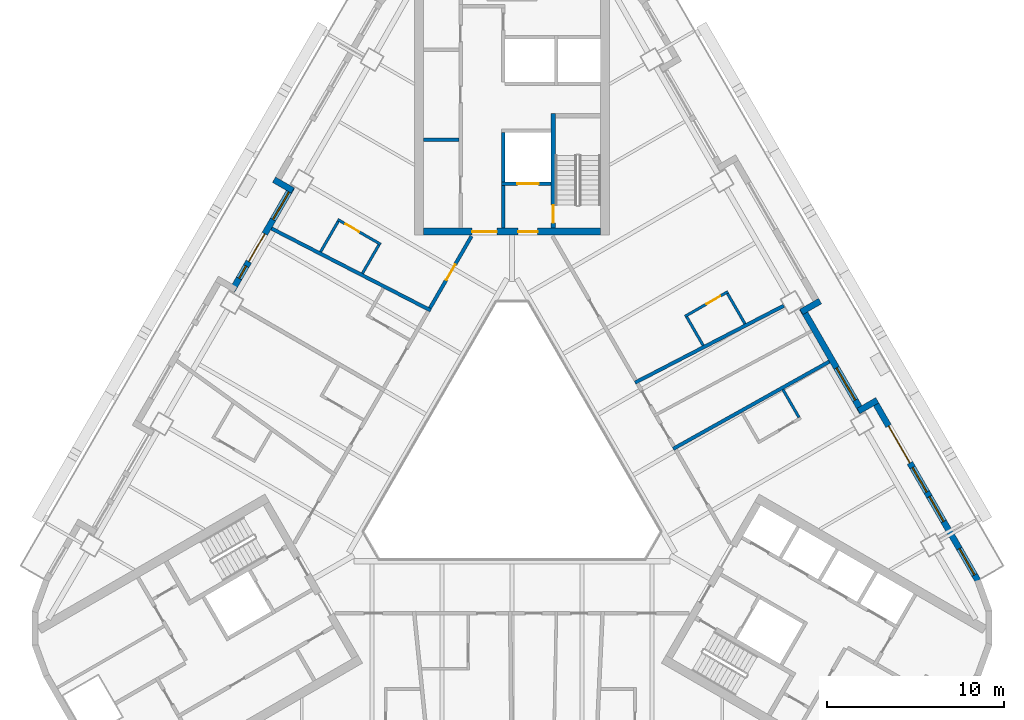
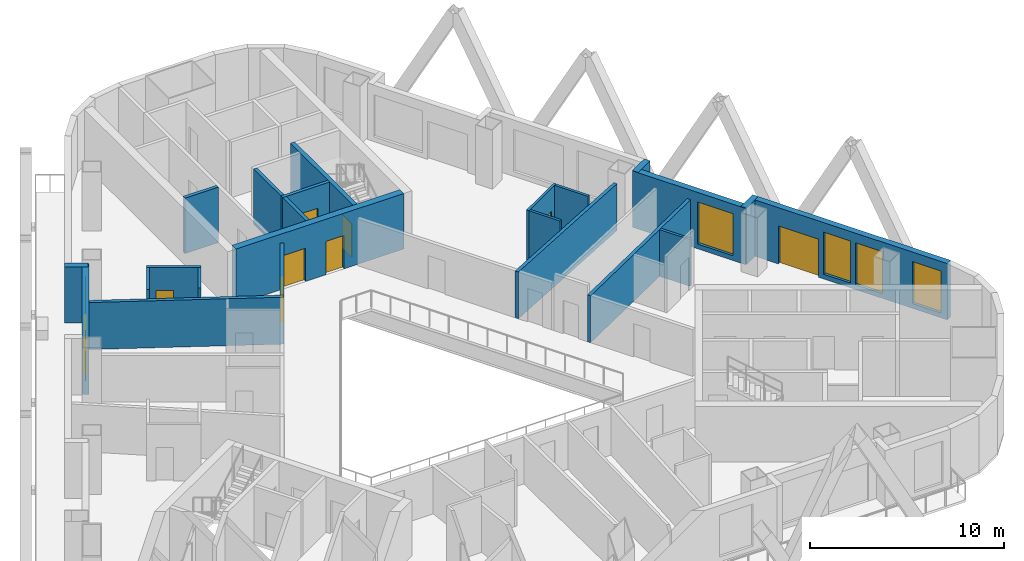
# One storey, part 6 of 14: 23 walls, 9 doors, 6 windows, 15 openings.
"""IFC4 building model written with IfcOpenShell, lengths in metres."""

from ifc_helpers import new_model, si_unit, direction, frame, frame_2d, origin, place, context, subcontext, project, spatial, rectangle, extrude, material, layer, layer_set, type_object, element, fill, save


model = new_model("IFC4")

# Units and contexts
model_context = context("Model", 3, precision=1e-05, world=origin(), true_north=direction((0.0, 1.0)))
body_context = subcontext(model_context, "Body", "Model", "MODEL_VIEW")
ifc_project = project(units=[si_unit("LENGTHUNIT", "METRE"), si_unit("AREAUNIT", "SQUARE_METRE"), si_unit("VOLUMEUNIT", "CUBIC_METRE"), si_unit("PLANEANGLEUNIT", "RADIAN"), si_unit("MASSUNIT", "GRAM", prefix="KILO")], contexts=[model_context])

# Site, building, storey
site_placement = place(None, origin())
site = spatial("IfcSite", under=ifc_project, at=site_placement, CompositionType="ELEMENT")
building_placement = place(site_placement, origin())
building = spatial("IfcBuilding", under=site, at=building_placement, Name="Apuvela Tower Hotel", CompositionType="ELEMENT")
storey_placement = place(building_placement, frame((0.0, 0.0, 76.10009765625)))
storey = spatial("IfcBuildingStorey", under=building, at=storey_placement, Name="L16", CompositionType="ELEMENT", Elevation=76.10009765625)

# Wall, openings, doors
ifc_material_1 = material(Name="Concrete C50/60", Category="concrete")
ifc_layer_1 = layer(ifc_material_1, 0.39990234375)
ifc_layer_set_1 = layer_set([ifc_layer_1], Name="COR-WALL-CORE-400")
wall_type_1 = type_object("IfcWallType", Name="COR-WALL-CORE-400", PredefinedType="SHEAR", material=ifc_layer_set_1)
wall_1_placement = place(storey_placement, frame((5.0, 13.10009765625, 0.0), z_axis=(0.0, 0.0, 1.0), x_axis=(-1.0, 0.0, 0.0)))
wall_1 = element("IfcWall", 1, at=wall_1_placement, inside=storey, type_object=wall_type_1, Name="Core wall N", PredefinedType="SHEAR", context=body_context, shape_type="SweptSolid", body=[
    extrude(rectangle(XDim=10.0, YDim=0.39990234375, at=frame_2d((5.0, 0.0))), origin(), (0.0, 0.0, 1.0), 3.5),
])
opening_1_placement = place(wall_1_placement, frame((3.550048828125, 0.0, 0.0)))
opening_1 = element("IfcOpeningElement", 2, at=opening_1_placement, cuts=wall_1, Name="Opening N-FD", PredefinedType="OPENING", context=body_context, shape_type="SweptSolid", body=[
    extrude(rectangle(XDim=1.10009765625, YDim=2.10009765625, at=frame_2d((0.550048828125, 1.050048828125))), frame((0.0, 0.2099609375, 0.0), z_axis=(0.0, -1.0, 0.0), x_axis=(1.0, 0.0, 0.0)), (0.0, 0.0, 1.0), 0.419921875),
])
opening_2_placement = place(wall_1_placement, frame((5.85009765625, 0.0, 0.0)))
opening_2 = element("IfcOpeningElement", 3, at=opening_2_placement, cuts=wall_1, Name="Opening N-GD", PredefinedType="OPENING", context=body_context, shape_type="SweptSolid", body=[
    extrude(rectangle(XDim=1.39990234375, YDim=2.10009765625, at=frame_2d((0.699951171875, 1.050048828125))), frame((0.0, 0.2099609375, 0.0), z_axis=(0.0, -1.0, 0.0), x_axis=(1.0, 0.0, 0.0)), (0.0, 0.0, 1.0), 0.419921875),
])
ifc_material_2 = material(Name="Steel fire door, powder coated", Category="steel")
door_type_1 = type_object("IfcDoorType", Name="COR-FD-1100", OperationType="NOTDEFINED", PredefinedType="DOOR", material=ifc_material_2)
door_1_placement = place(opening_1_placement, frame((1.10009765625, 0.0, 0.0), z_axis=(0.0, 0.0, 1.0), x_axis=(-1.0, 0.0, 0.0)))
door_1 = element("IfcDoor", 4, at=door_1_placement, inside=storey, type_object=door_type_1, Name="Firefighting lobby door N-FD", OperationType="SINGLE_SWING_LEFT", OverallHeight=2.10009765625, OverallWidth=1.10009765625, PredefinedType="DOOR", context=body_context, shape_type="SweptSolid", body=[
    extrude(rectangle(XDim=1.10009765625, YDim=2.10009765625, at=frame_2d((0.550048828125, 1.050048828125))), frame((0.0, 0.02490234375, 0.0), z_axis=(0.0, -1.0, 0.0), x_axis=(1.0, 0.0, 0.0)), (0.0, 0.0, 1.0), 0.050048828125),
])
fill(opening_1, door_1)
ifc_material_3 = material(Name="Glazed steel fire door", Category="steel")
door_type_2 = type_object("IfcDoorType", Name="COR-GD-1400", OperationType="DOUBLE_DOOR_SINGLE_SWING", PredefinedType="DOOR", material=ifc_material_3)
door_2_placement = place(opening_2_placement, frame((1.39990234375, 0.0, 0.0), z_axis=(0.0, 0.0, 1.0), x_axis=(-1.0, 0.0, 0.0)))
door_2 = element("IfcDoor", 5, at=door_2_placement, inside=storey, type_object=door_type_2, Name="Lift lobby door N-GD", OperationType="DOUBLE_DOOR_SINGLE_SWING", OverallHeight=2.10009765625, OverallWidth=1.39990234375, PredefinedType="DOOR", context=body_context, shape_type="SweptSolid", body=[
    extrude(rectangle(XDim=1.39990234375, YDim=2.10009765625, at=frame_2d((0.699951171875, 1.050048828125))), frame((0.0, 0.02490234375, 0.0), z_axis=(0.0, -1.0, 0.0), x_axis=(1.0, 0.0, 0.0)), (0.0, 0.0, 1.0), 0.050048828125),
])
fill(opening_2, door_2)

# Wall, opening, door
ifc_layer_2 = layer(ifc_material_1, 0.199951171875)
ifc_layer_set_2 = layer_set([ifc_layer_2], Name="COR-WALL-SHAFT-200")
wall_type_2 = type_object("IfcWallType", Name="COR-WALL-SHAFT-200", PredefinedType="SHEAR", material=ifc_layer_set_2)
wall_2_placement = place(storey_placement, frame((2.199951171875, 15.800048828125, 0.0), z_axis=(0.0, 0.0, 1.0), x_axis=(-1.0, 0.0, 0.0)))
wall_2 = element("IfcWall", 6, at=wall_2_placement, inside=storey, type_object=wall_type_2, Name="Shaft wall N", PredefinedType="SHEAR", context=body_context, shape_type="SweptSolid", body=[
    extrude(rectangle(XDim=2.800048828125, YDim=0.199951171875, at=frame_2d((1.39990234375, 0.0))), origin(), (0.0, 0.0, 1.0), 3.5),
])
opening_3_placement = place(wall_2_placement, frame((0.699951171875, 0.0, 0.0)))
opening_3 = element("IfcOpeningElement", 7, at=opening_3_placement, cuts=wall_2, Name="Opening N-LD-FS1", PredefinedType="OPENING", context=body_context, shape_type="SweptSolid", body=[
    extrude(rectangle(XDim=1.199951171875, YDim=2.10009765625, at=frame_2d((0.60009765625, 1.050048828125))), frame((0.0, 0.10986328125, 0.0), z_axis=(0.0, -1.0, 0.0), x_axis=(1.0, 0.0, 0.0)), (0.0, 0.0, 1.0), 0.219970703125),
])
ifc_material_4 = material(Name="Stainless steel lift landing door", Category="steel")
door_type_3 = type_object("IfcDoorType", Name="COR-LD-1200", OperationType="DOUBLE_DOOR_SLIDING", PredefinedType="DOOR", material=ifc_material_4)
door_3_placement = place(opening_3_placement, origin())
door_3 = element("IfcDoor", 8, at=door_3_placement, inside=storey, type_object=door_type_3, Name="Lift landing door N-LD-FS1", OperationType="DOUBLE_DOOR_SLIDING", OverallHeight=2.10009765625, OverallWidth=1.199951171875, PredefinedType="DOOR", context=body_context, shape_type="SweptSolid", body=[
    extrude(rectangle(XDim=1.199951171875, YDim=2.10009765625, at=frame_2d((0.60009765625, 1.050048828125))), frame((0.0, 0.02490234375, 0.0), z_axis=(0.0, -1.0, 0.0), x_axis=(1.0, 0.0, 0.0)), (0.0, 0.0, 1.0), 0.050048828125),
])
fill(opening_3, door_3)

# Walls
wall_3_placement = place(storey_placement, frame((-0.5, 15.89990234375, 0.0), z_axis=(0.0, 0.0, 1.0), x_axis=(0.0, 1.0, 0.0)))
element("IfcWall", 9, at=wall_3_placement, inside=storey, type_object=wall_type_2, Name="Shaft wall N", PredefinedType="SHEAR", context=body_context, shape_type="SweptSolid", body=[
    extrude(rectangle(XDim=2.800048828125, YDim=0.199951171875, at=frame_2d((1.39990234375, 0.0))), origin(), (0.0, 0.0, 1.0), 3.5),
])
wall_4_placement = place(storey_placement, frame((-0.5, 13.300048828125, 0.0), z_axis=(0.0, 0.0, 1.0), x_axis=(0.0, 1.0, 0.0)))
element("IfcWall", 10, at=wall_4_placement, inside=storey, type_object=wall_type_2, Name="Shaft wall N", PredefinedType="SHEAR", context=body_context, shape_type="SweptSolid", body=[
    extrude(rectangle(XDim=2.39990234375, YDim=0.199951171875, at=frame_2d((1.199951171875, 0.0))), origin(), (0.0, 0.0, 1.0), 3.5),
])
wall_5_placement = place(storey_placement, frame((-3.0, 18.280029296875, 0.0), z_axis=(0.0, 0.0, 1.0), x_axis=(-1.0, 0.0, 0.0)))
element("IfcWall", 11, at=wall_5_placement, inside=storey, type_object=wall_type_2, Name="Shaft wall N", PredefinedType="SHEAR", context=body_context, shape_type="SweptSolid", body=[
    extrude(rectangle(XDim=2.0, YDim=0.199951171875, at=frame_2d((1.0, 0.0))), origin(), (0.0, 0.0, 1.0), 3.5),
])

# Wall, opening, door
ifc_layer_3 = layer(ifc_material_1, 0.25)
ifc_layer_set_3 = layer_set([ifc_layer_3], Name="COR-WALL-STAIR-250")
wall_type_3 = type_object("IfcWallType", Name="COR-WALL-STAIR-250", PredefinedType="SHEAR", material=ifc_layer_set_3)
wall_6_placement = place(storey_placement, frame((2.324951171875, 13.300048828125, 0.0), z_axis=(0.0, 0.0, 1.0), x_axis=(0.0, 1.0, 0.0)))
wall_6 = element("IfcWall", 12, at=wall_6_placement, inside=storey, type_object=wall_type_3, Name="Stair wall N", PredefinedType="SHEAR", context=body_context, shape_type="SweptSolid", body=[
    extrude(rectangle(XDim=6.449951171875, YDim=0.25, at=frame_2d((3.22509765625, 0.0))), origin(), (0.0, 0.0, 1.0), 3.5),
])
opening_4_placement = place(wall_6_placement, frame((0.300048828125, 0.0, 0.0)))
opening_4 = element("IfcOpeningElement", 13, at=opening_4_placement, cuts=wall_6, Name="Opening N-SD", PredefinedType="OPENING", context=body_context, shape_type="SweptSolid", body=[
    extrude(rectangle(XDim=1.0, YDim=2.10009765625, at=frame_2d((0.5, 1.050048828125))), frame((0.0, 0.135009765625, 0.0), z_axis=(0.0, -1.0, 0.0), x_axis=(1.0, 0.0, 0.0)), (0.0, 0.0, 1.0), 0.27001953125),
])
door_type_4 = type_object("IfcDoorType", Name="COR-SD-1000", OperationType="NOTDEFINED", PredefinedType="DOOR", material=ifc_material_2)
door_4_placement = place(opening_4_placement, frame((1.0, 0.0, 0.0), z_axis=(0.0, 0.0, 1.0), x_axis=(-1.0, 0.0, 0.0)))
door_4 = element("IfcDoor", 14, at=door_4_placement, inside=storey, type_object=door_type_4, Name="Stair door N-SD", OperationType="SINGLE_SWING_LEFT", OverallHeight=2.10009765625, OverallWidth=1.0, PredefinedType="DOOR", context=body_context, shape_type="SweptSolid", body=[
    extrude(rectangle(XDim=1.0, YDim=2.10009765625, at=frame_2d((0.5, 1.050048828125))), frame((0.0, 0.02490234375, 0.0), z_axis=(0.0, -1.0, 0.0), x_axis=(1.0, 0.0, 0.0)), (0.0, 0.0, 1.0), 0.050048828125),
])
fill(opening_4, door_4)

# Wall
ifc_material_5 = material(Name="Concrete C40/50, dark pigmented precast panel", Category="concrete")
ifc_layer_4 = layer(ifc_material_5, 0.35009765625)
ifc_layer_set_4 = layer_set([ifc_layer_4], Name="ENV-WALL-350")
wall_type_4 = type_object("IfcWallType", Name="ENV-WALL-350", PredefinedType="SOLIDWALL", material=ifc_layer_set_4)
wall_7_placement = place(storey_placement, frame((-13.41259765625, 16.02880859375, 0.0), z_axis=(0.0, 0.0, 1.0), x_axis=(0.866005645448, -0.500034220881, 0.0)))
element("IfcWall", 15, at=wall_7_placement, inside=storey, type_object=wall_type_4, Name="External wall L16-02", PredefinedType="SOLIDWALL", context=body_context, shape_type="SweptSolid", body=[
    extrude(rectangle(XDim=1.22021484375, YDim=0.35009765625, at=frame_2d((0.610107421875, 0.0))), origin(), (0.0, 0.0, 1.0), 3.5498046875),
])

# Wall, openings, door, windows
wall_8_placement = place(storey_placement, frame((-12.408935546875, 15.616943359375, 0.0), z_axis=(0.0, 0.0, 1.0), x_axis=(-0.500003597184, -0.866023326939, 0.0)))
wall_8 = element("IfcWall", 16, at=wall_8_placement, inside=storey, type_object=wall_type_4, Name="External wall L16-03", PredefinedType="SOLIDWALL", context=body_context, shape_type="SweptSolid", body=[
    extrude(rectangle(XDim=6.740234375, YDim=0.35009765625, at=frame_2d((3.3701171875, 0.0))), origin(), (0.0, 0.0, 1.0), 3.5498046875),
])
opening_5_placement = place(wall_8_placement, frame((0.3203125, 0.0, 0.300048828125)))
opening_5 = element("IfcOpeningElement", 17, at=opening_5_placement, cuts=wall_8, Name="Opening WN18", PredefinedType="OPENING", context=body_context, shape_type="SweptSolid", body=[
    extrude(rectangle(XDim=1.800048828125, YDim=2.64990234375, at=frame_2d((0.89990234375, 1.324951171875))), frame((0.0, 0.18505859375, 0.0), z_axis=(0.0, -1.0, 0.0), x_axis=(1.0, 0.0, 0.0)), (0.0, 0.0, 1.0), 0.3701171875),
])
opening_6_placement = place(wall_8_placement, frame((3.046875, 0.0, 0.0)))
opening_6 = element("IfcOpeningElement", 18, at=opening_6_placement, cuts=wall_8, Name="Opening BD18", PredefinedType="OPENING", context=body_context, shape_type="SweptSolid", body=[
    extrude(rectangle(XDim=1.800048828125, YDim=2.39990234375, at=frame_2d((0.89990234375, 1.199951171875))), frame((0.0, 0.18505859375, 0.0), z_axis=(0.0, -1.0, 0.0), x_axis=(1.0, 0.0, 0.0)), (0.0, 0.0, 1.0), 0.3701171875),
])
opening_7_placement = place(wall_8_placement, frame((5.146728515625, 0.0, 0.300048828125)))
opening_7 = element("IfcOpeningElement", 19, at=opening_7_placement, cuts=wall_8, Name="Opening WN08", PredefinedType="OPENING", context=body_context, shape_type="SweptSolid", body=[
    extrude(rectangle(XDim=0.800048828125, YDim=2.64990234375, at=frame_2d((0.39990234375, 1.324951171875))), frame((0.0, 0.18505859375, 0.0), z_axis=(0.0, -1.0, 0.0), x_axis=(1.0, 0.0, 0.0)), (0.0, 0.0, 1.0), 0.3701171875),
])
ifc_material_6 = material(Name="Aluminium 6063-T6, dark bronze anodised frame with dark tinted laminated glass", Category="aluminium")
door_type_5 = type_object("IfcDoorType", Name="ENV-DOOR-BALCONY-1800x2400", OperationType="SLIDING_TO_LEFT", PredefinedType="DOOR", material=ifc_material_6)
door_5_placement = place(opening_6_placement, frame((1.800048828125, 0.0, 0.0), z_axis=(0.0, 0.0, 1.0), x_axis=(-1.0, 0.0, 0.0)))
door_5 = element("IfcDoor", 20, at=door_5_placement, inside=storey, type_object=door_type_5, Name="Balcony door BD18", OperationType="SLIDING_TO_LEFT", OverallHeight=2.39990234375, OverallWidth=1.800048828125, PredefinedType="DOOR", context=body_context, shape_type="SweptSolid", body=[
    extrude(rectangle(XDim=1.800048828125, YDim=2.39990234375, at=frame_2d((0.89990234375, 1.199951171875))), frame((0.0, 0.02490234375, 0.0), z_axis=(0.0, -1.0, 0.0), x_axis=(1.0, 0.0, 0.0)), (0.0, 0.0, 1.0), 0.050048828125),
])
fill(opening_6, door_5)
ifc_material_7 = material(Name="Glass, dark tinted laminated insulated glazing unit", Category="glass")
window_type_1 = type_object("IfcWindowType", Name="ENV-WIN-1800x2650", PartitioningType="SINGLE_PANEL", PredefinedType="WINDOW", material=ifc_material_7)
window_1_placement = place(opening_5_placement, origin())
window_1 = element("IfcWindow", 21, at=window_1_placement, inside=storey, type_object=window_type_1, Name="Window WN18", OverallHeight=2.64990234375, OverallWidth=1.800048828125, PartitioningType="SINGLE_PANEL", PredefinedType="WINDOW", context=body_context, shape_type="SweptSolid", body=[
    extrude(rectangle(XDim=1.800048828125, YDim=2.64990234375, at=frame_2d((0.89990234375, 1.324951171875))), frame((0.0, 0.030029296875, 0.0), z_axis=(0.0, -1.0, 0.0), x_axis=(1.0, 0.0, 0.0)), (0.0, 0.0, 1.0), 0.06005859375),
])
fill(opening_5, window_1)
window_type_2 = type_object("IfcWindowType", Name="ENV-WIN-800x2650", PartitioningType="SINGLE_PANEL", PredefinedType="WINDOW", material=ifc_material_7)
window_2_placement = place(opening_7_placement, origin())
window_2 = element("IfcWindow", 22, at=window_2_placement, inside=storey, type_object=window_type_2, Name="Window WN08", OverallHeight=2.64990234375, OverallWidth=0.800048828125, PartitioningType="SINGLE_PANEL", PredefinedType="WINDOW", context=body_context, shape_type="SweptSolid", body=[
    extrude(rectangle(XDim=0.800048828125, YDim=2.64990234375, at=frame_2d((0.39990234375, 1.324951171875))), frame((0.0, 0.030029296875, 0.0), z_axis=(0.0, -1.0, 0.0), x_axis=(1.0, 0.0, 0.0)), (0.0, 0.0, 1.0), 0.06005859375),
])
fill(opening_7, window_2)

wall_9_placement = place(storey_placement, frame((26.256591796875, -6.5673828125, 0.0), z_axis=(0.0, 0.0, 1.0), x_axis=(-0.500023526245, 0.866011820475, 0.0)))
wall_9 = element("IfcWall", 23, at=wall_9_placement, inside=storey, type_object=wall_type_4, Name="External wall L16-33", PredefinedType="SOLIDWALL", context=body_context, shape_type="SweptSolid", body=[
    extrude(rectangle(XDim=11.81591796875, YDim=0.35009765625, at=frame_2d((5.907958984375, 0.0))), origin(), (0.0, 0.0, 1.0), 3.5498046875),
])
opening_8_placement = place(wall_9_placement, frame((0.380126953125, 0.0, 0.300048828125)))
opening_8 = element("IfcOpeningElement", 24, at=opening_8_placement, cuts=wall_9, Name="Opening WN17", PredefinedType="OPENING", context=body_context, shape_type="SweptSolid", body=[
    extrude(rectangle(XDim=1.699951171875, YDim=2.64990234375, at=frame_2d((0.85009765625, 1.324951171875))), frame((0.0, 0.18505859375, 0.0), z_axis=(0.0, -1.0, 0.0), x_axis=(1.0, 0.0, 0.0)), (0.0, 0.0, 1.0), 0.3701171875),
])
opening_9_placement = place(wall_9_placement, frame((7.666015625, 0.0, 0.0)))
opening_9 = element("IfcOpeningElement", 25, at=opening_9_placement, cuts=wall_9, Name="Opening BD24", PredefinedType="OPENING", context=body_context, shape_type="SweptSolid", body=[
    extrude(rectangle(XDim=2.39990234375, YDim=2.39990234375, at=frame_2d((1.199951171875, 1.199951171875))), frame((0.0, 0.18505859375, 0.0), z_axis=(0.0, -1.0, 0.0), x_axis=(1.0, 0.0, 0.0)), (0.0, 0.0, 1.0), 0.3701171875),
])
opening_10_placement = place(wall_9_placement, frame((3.865234375, 0.0, 0.300048828125)))
opening_10 = element("IfcOpeningElement", 26, at=opening_10_placement, cuts=wall_9, Name="Opening WN16", PredefinedType="OPENING", context=body_context, shape_type="SweptSolid", body=[
    extrude(rectangle(XDim=1.60009765625, YDim=2.64990234375, at=frame_2d((0.800048828125, 1.324951171875))), frame((0.0, 0.18505859375, 0.0), z_axis=(0.0, -1.0, 0.0), x_axis=(1.0, 0.0, 0.0)), (0.0, 0.0, 1.0), 0.3701171875),
])
opening_11_placement = place(wall_9_placement, frame((5.765380859375, 0.0, 0.300048828125)))
opening_11 = element("IfcOpeningElement", 27, at=opening_11_placement, cuts=wall_9, Name="Opening WN16", PredefinedType="OPENING", context=body_context, shape_type="SweptSolid", body=[
    extrude(rectangle(XDim=1.60009765625, YDim=2.64990234375, at=frame_2d((0.800048828125, 1.324951171875))), frame((0.0, 0.18505859375, 0.0), z_axis=(0.0, -1.0, 0.0), x_axis=(1.0, 0.0, 0.0)), (0.0, 0.0, 1.0), 0.3701171875),
])
door_type_6 = type_object("IfcDoorType", Name="ENV-DOOR-BALCONY-2400x2400", OperationType="SLIDING_TO_LEFT", PredefinedType="DOOR", material=ifc_material_6)
door_6_placement = place(opening_9_placement, frame((2.39990234375, 0.0, 0.0), z_axis=(0.0, 0.0, 1.0), x_axis=(-1.0, 0.0, 0.0)))
door_6 = element("IfcDoor", 28, at=door_6_placement, inside=storey, type_object=door_type_6, Name="Balcony door BD24", OperationType="SLIDING_TO_LEFT", OverallHeight=2.39990234375, OverallWidth=2.39990234375, PredefinedType="DOOR", context=body_context, shape_type="SweptSolid", body=[
    extrude(rectangle(XDim=2.39990234375, YDim=2.39990234375, at=frame_2d((1.199951171875, 1.199951171875))), frame((0.0, 0.02490234375, 0.0), z_axis=(0.0, -1.0, 0.0), x_axis=(1.0, 0.0, 0.0)), (0.0, 0.0, 1.0), 0.050048828125),
])
fill(opening_9, door_6)
window_type_3 = type_object("IfcWindowType", Name="ENV-WIN-1600x2650", PartitioningType="SINGLE_PANEL", PredefinedType="WINDOW", material=ifc_material_7)
window_3_placement = place(opening_10_placement, origin())
window_3 = element("IfcWindow", 29, at=window_3_placement, inside=storey, type_object=window_type_3, Name="Window WN16", OverallHeight=2.64990234375, OverallWidth=1.60009765625, PartitioningType="SINGLE_PANEL", PredefinedType="WINDOW", context=body_context, shape_type="SweptSolid", body=[
    extrude(rectangle(XDim=1.60009765625, YDim=2.64990234375, at=frame_2d((0.800048828125, 1.324951171875))), frame((0.0, 0.030029296875, 0.0), z_axis=(0.0, -1.0, 0.0), x_axis=(1.0, 0.0, 0.0)), (0.0, 0.0, 1.0), 0.06005859375),
])
fill(opening_10, window_3)
window_4_placement = place(opening_11_placement, origin())
window_4 = element("IfcWindow", 30, at=window_4_placement, inside=storey, type_object=window_type_3, Name="Window WN16", OverallHeight=2.64990234375, OverallWidth=1.60009765625, PartitioningType="SINGLE_PANEL", PredefinedType="WINDOW", context=body_context, shape_type="SweptSolid", body=[
    extrude(rectangle(XDim=1.60009765625, YDim=2.64990234375, at=frame_2d((0.800048828125, 1.324951171875))), frame((0.0, 0.030029296875, 0.0), z_axis=(0.0, -1.0, 0.0), x_axis=(1.0, 0.0, 0.0)), (0.0, 0.0, 1.0), 0.06005859375),
])
fill(opening_11, window_4)
window_type_4 = type_object("IfcWindowType", Name="ENV-WIN-1700x2650", PartitioningType="SINGLE_PANEL", PredefinedType="WINDOW", material=ifc_material_7)
window_5_placement = place(opening_8_placement, origin())
window_5 = element("IfcWindow", 31, at=window_5_placement, inside=storey, type_object=window_type_4, Name="Window WN17", OverallHeight=2.64990234375, OverallWidth=1.699951171875, PartitioningType="SINGLE_PANEL", PredefinedType="WINDOW", context=body_context, shape_type="SweptSolid", body=[
    extrude(rectangle(XDim=1.699951171875, YDim=2.64990234375, at=frame_2d((0.85009765625, 1.324951171875))), frame((0.0, 0.030029296875, 0.0), z_axis=(0.0, -1.0, 0.0), x_axis=(1.0, 0.0, 0.0)), (0.0, 0.0, 1.0), 0.06005859375),
])
fill(opening_8, window_5)

# Wall
wall_10_placement = place(storey_placement, frame((20.587646484375, 3.601318359375, 0.0), z_axis=(0.0, 0.0, 1.0), x_axis=(-0.866005645448, -0.500034220881, 0.0)))
element("IfcWall", 32, at=wall_10_placement, inside=storey, type_object=wall_type_4, Name="External wall L16-34", PredefinedType="SOLIDWALL", context=body_context, shape_type="SweptSolid", body=[
    extrude(rectangle(XDim=1.22021484375, YDim=0.35009765625, at=frame_2d((0.610107421875, 0.0))), origin(), (0.0, 0.0, 1.0), 3.5498046875),
])

# Wall, opening, window
wall_11_placement = place(storey_placement, frame((19.72900390625, 2.93798828125, 0.0), z_axis=(0.0, 0.0, 1.0), x_axis=(-0.499976430342, 0.866039011305, 0.0)))
wall_11 = element("IfcWall", 33, at=wall_11_placement, inside=storey, type_object=wall_type_4, Name="External wall L16-35", PredefinedType="SOLIDWALL", context=body_context, shape_type="SweptSolid", body=[
    extrude(rectangle(XDim=6.739990234375, YDim=0.35009765625, at=frame_2d((3.3701171875, 0.0))), origin(), (0.0, 0.0, 1.0), 3.5498046875),
])
opening_12_placement = place(wall_11_placement, frame((0.77001953125, 0.0, 0.300048828125)))
opening_12 = element("IfcOpeningElement", 34, at=opening_12_placement, cuts=wall_11, Name="Opening WN21", PredefinedType="OPENING", context=body_context, shape_type="SweptSolid", body=[
    extrude(rectangle(XDim=2.10009765625, YDim=2.64990234375, at=frame_2d((1.050048828125, 1.324951171875))), frame((0.0, 0.18505859375, 0.0), z_axis=(0.0, -1.0, 0.0), x_axis=(1.0, 0.0, 0.0)), (0.0, 0.0, 1.0), 0.3701171875),
])
window_type_5 = type_object("IfcWindowType", Name="ENV-WIN-2100x2650", PartitioningType="SINGLE_PANEL", PredefinedType="WINDOW", material=ifc_material_7)
window_6_placement = place(opening_12_placement, origin())
window_6 = element("IfcWindow", 35, at=window_6_placement, inside=storey, type_object=window_type_5, Name="Window WN21", OverallHeight=2.64990234375, OverallWidth=2.10009765625, PartitioningType="SINGLE_PANEL", PredefinedType="WINDOW", context=body_context, shape_type="SweptSolid", body=[
    extrude(rectangle(XDim=2.10009765625, YDim=2.64990234375, at=frame_2d((1.050048828125, 1.324951171875))), frame((0.0, 0.030029296875, 0.0), z_axis=(0.0, -1.0, 0.0), x_axis=(1.0, 0.0, 0.0)), (0.0, 0.0, 1.0), 0.06005859375),
])
fill(opening_12, window_6)

# Walls
wall_12_placement = place(storey_placement, frame((16.305908203125, 8.5771484375, 0.0), z_axis=(0.0, 0.0, 1.0), x_axis=(0.866092288191, 0.499884134912, 0.0)))
element("IfcWall", 36, at=wall_12_placement, inside=storey, type_object=wall_type_4, Name="External wall L16-36", PredefinedType="SOLIDWALL", context=body_context, shape_type="SweptSolid", body=[
    extrude(rectangle(XDim=1.219970703125, YDim=0.35009765625, at=frame_2d((0.60986328125, 0.0))), origin(), (0.0, 0.0, 1.0), 3.5498046875),
])
ifc_material_8 = material(Name="Gypsum board partition on twin steel stud", Category="steel")
ifc_layer_5 = layer(ifc_material_8, 0.199951171875)
ifc_layer_set_5 = layer_set([ifc_layer_5], Name="GST-PW1")
wall_type_5 = type_object("IfcWallType", Name="GST-PW1", PredefinedType="PARTITIONING", material=ifc_layer_set_5)
wall_13_placement = place(storey_placement, frame((17.88623046875, 5.780029296875, 0.0), z_axis=(0.0, 0.0, 1.0), x_axis=(-0.872898889426, -0.487901146585, 0.0)))
element("IfcWall", 37, at=wall_13_placement, inside=storey, type_object=wall_type_5, Name="L16 partition 04", PredefinedType="PARTITIONING", context=body_context, shape_type="SweptSolid", body=[
    extrude(rectangle(XDim=10.080810546875, YDim=0.199951171875, at=frame_2d((5.04052734375, 0.0))), origin(), (0.0, 0.0, 1.0), 2.949951171875),
])
wall_14_placement = place(storey_placement, frame((15.318603515625, 8.92724609375, 0.0), z_axis=(0.0, 0.0, 1.0), x_axis=(-0.888261672675, -0.459337785139, 0.0)))
element("IfcWall", 38, at=wall_14_placement, inside=storey, type_object=wall_type_5, Name="L16 partition 05", PredefinedType="PARTITIONING", context=body_context, shape_type="SweptSolid", body=[
    extrude(rectangle(XDim=9.440185546875, YDim=0.199951171875, at=frame_2d((4.72021484375, 0.0))), origin(), (0.0, 0.0, 1.0), 2.949951171875),
])
wall_15_placement = place(storey_placement, frame((-13.555908203125, 13.280517578125, 0.0), z_axis=(0.0, 0.0, 1.0), x_axis=(0.889110909618, -0.457691807223, 0.0)))
element("IfcWall", 39, at=wall_15_placement, inside=storey, type_object=wall_type_5, Name="L16 partition 06", PredefinedType="PARTITIONING", context=body_context, shape_type="SweptSolid", body=[
    extrude(rectangle(XDim=10.091796875, YDim=0.199951171875, at=frame_2d((5.0458984375, 0.0))), origin(), (0.0, 0.0, 1.0), 2.9599609375),
])

# Wall, opening, door
ifc_material_9 = material(Name="Gypsum board corridor wall on twin steel stud, acoustic", Category="steel")
ifc_layer_6 = layer(ifc_material_9, 0.199951171875)
ifc_layer_set_6 = layer_set([ifc_layer_6], Name="GST-PW2")
wall_type_6 = type_object("IfcWallType", Name="GST-PW2", PredefinedType="PARTITIONING", material=ifc_layer_set_6)
wall_16_placement = place(storey_placement, frame((-4.6220703125, 8.794189453125, 0.0), z_axis=(0.0, 0.0, 1.0), x_axis=(0.499979668266, 0.866037141998, 0.0)))
wall_16 = element("IfcWall", 40, at=wall_16_placement, inside=storey, type_object=wall_type_6, Name="L16 partition 34", PredefinedType="PARTITIONING", context=body_context, shape_type="SweptSolid", body=[
    extrude(rectangle(XDim=4.683349609375, YDim=0.199951171875, at=frame_2d((2.341796875, 0.0))), origin(), (0.0, 0.0, 1.0), 2.949951171875),
])
opening_13_placement = place(wall_16_placement, frame((1.841552734375, 0.0, 0.0)))
opening_13 = element("IfcOpeningElement", 41, at=opening_13_placement, cuts=wall_16, Name="Opening GD04-16", PredefinedType="OPENING", context=body_context, shape_type="SweptSolid", body=[
    extrude(rectangle(XDim=1.0, YDim=2.10009765625, at=frame_2d((0.5, 1.050048828125))), frame((0.0, 0.10986328125, 0.0), z_axis=(0.0, -1.0, 0.0), x_axis=(1.0, 0.0, 0.0)), (0.0, 0.0, 1.0), 0.219970703125),
])
ifc_material_10 = material(Name="Timber door leaf in steel frame", Category="steel")
door_type_7 = type_object("IfcDoorType", Name="GST-D1", OperationType="NOTDEFINED", PredefinedType="DOOR", material=ifc_material_10)
door_7_placement = place(opening_13_placement, origin())
door_7 = element("IfcDoor", 42, at=door_7_placement, inside=storey, type_object=door_type_7, Name="Door L16-16", OperationType="SINGLE_SWING_LEFT", OverallHeight=2.10009765625, OverallWidth=1.0, PredefinedType="DOOR", context=body_context, shape_type="SweptSolid", body=[
    extrude(rectangle(XDim=1.0, YDim=2.10009765625, at=frame_2d((0.5, 1.050048828125))), frame((0.0, 0.02490234375, 0.0), z_axis=(0.0, -1.0, 0.0), x_axis=(1.0, 0.0, 0.0)), (0.0, 0.0, 1.0), 0.050048828125),
])
fill(opening_13, door_7)

# Wall
ifc_material_11 = material(Name="Moisture-resistant gypsum board wet wall on steel stud", Category="steel")
ifc_layer_7 = layer(ifc_material_11, 0.14990234375)
ifc_layer_set_7 = layer_set([ifc_layer_7], Name="GST-PW3")
wall_type_7 = type_object("IfcWallType", Name="GST-PW3", PredefinedType="PARTITIONING", material=ifc_layer_set_7)
wall_17_placement = place(storey_placement, frame((16.17529296875, 2.63330078125, 0.0), z_axis=(0.0, 0.0, 1.0), x_axis=(-0.499979029598, 0.866037510713, 0.0)))
element("IfcWall", 43, at=wall_17_placement, inside=storey, type_object=wall_type_7, Name="L16 partition 25", PredefinedType="PARTITIONING", context=body_context, shape_type="SweptSolid", body=[
    extrude(rectangle(XDim=1.81201171875, YDim=0.14990234375, at=frame_2d((0.906005859375, 0.0))), origin(), (0.0, 0.0, 1.0), 2.949951171875),
])

# Wall, opening, door
wall_18_placement = place(storey_placement, frame((12.169189453125, 9.72216796875, 0.0), z_axis=(0.0, 0.0, 1.0), x_axis=(-0.865996816683, -0.500049511043, 0.0)))
wall_18 = element("IfcWall", 44, at=wall_18_placement, inside=storey, type_object=wall_type_7, Name="L16 partition 31", PredefinedType="PARTITIONING", context=body_context, shape_type="SweptSolid", body=[
    extrude(rectangle(XDim=2.800048828125, YDim=0.14990234375, at=frame_2d((1.39990234375, 0.0))), origin(), (0.0, 0.0, 1.0), 3.5498046875),
])
opening_14_placement = place(wall_18_placement, frame((0.5, 0.0, 0.0)))
opening_14 = element("IfcOpeningElement", 45, at=opening_14_placement, cuts=wall_18, Name="Opening GD04-13", PredefinedType="OPENING", context=body_context, shape_type="SweptSolid", body=[
    extrude(rectangle(XDim=0.89990234375, YDim=2.10009765625, at=frame_2d((0.449951171875, 1.050048828125))), frame((0.0, 0.0849609375, 0.0), z_axis=(0.0, -1.0, 0.0), x_axis=(1.0, 0.0, 0.0)), (0.0, 0.0, 1.0), 0.169921875),
])
door_type_8 = type_object("IfcDoorType", Name="GST-D2", OperationType="NOTDEFINED", PredefinedType="DOOR", material=ifc_material_10)
door_8_placement = place(opening_14_placement, origin())
door_8 = element("IfcDoor", 46, at=door_8_placement, inside=storey, type_object=door_type_8, Name="Door L16-13", OperationType="SINGLE_SWING_LEFT", OverallHeight=2.10009765625, OverallWidth=0.89990234375, PredefinedType="DOOR", context=body_context, shape_type="SweptSolid", body=[
    extrude(rectangle(XDim=0.89990234375, YDim=2.10009765625, at=frame_2d((0.449951171875, 1.050048828125))), frame((0.0, 0.02490234375, 0.0), z_axis=(0.0, -1.0, 0.0), x_axis=(1.0, 0.0, 0.0)), (0.0, 0.0, 1.0), 0.050048828125),
])
fill(opening_14, door_8)

# Walls
wall_19_placement = place(storey_placement, frame((13.130126953125, 7.908203125, 0.0), z_axis=(0.0, 0.0, 1.0), x_axis=(-0.500071767444, 0.865983964866, 0.0)))
element("IfcWall", 47, at=wall_19_placement, inside=storey, type_object=wall_type_7, Name="L16 partition 32", PredefinedType="PARTITIONING", context=body_context, shape_type="SweptSolid", body=[
    extrude(rectangle(XDim=1.976318359375, YDim=0.14990234375, at=frame_2d((0.98828125, 0.0))), origin(), (0.0, 0.0, 1.0), 3.5498046875),
])
wall_20_placement = place(storey_placement, frame((10.773681640625, 6.689453125, 0.0), z_axis=(0.0, 0.0, 1.0), x_axis=(-0.499992292652, 0.866029853578, 0.0)))
element("IfcWall", 48, at=wall_20_placement, inside=storey, type_object=wall_type_7, Name="L16 partition 33", PredefinedType="PARTITIONING", context=body_context, shape_type="SweptSolid", body=[
    extrude(rectangle(XDim=1.853515625, YDim=0.14990234375, at=frame_2d((0.9267578125, 0.0))), origin(), (0.0, 0.0, 1.0), 3.5498046875),
])

# Wall, opening, door
wall_21_placement = place(storey_placement, frame((-7.398193359375, 12.385986328125, 0.0), z_axis=(0.0, 0.0, 1.0), x_axis=(-0.866034573852, 0.49998411664, 0.0)))
wall_21 = element("IfcWall", 49, at=wall_21_placement, inside=storey, type_object=wall_type_7, Name="L16 partition 35", PredefinedType="PARTITIONING", context=body_context, shape_type="SweptSolid", body=[
    extrude(rectangle(XDim=2.7998046875, YDim=0.14990234375, at=frame_2d((1.39990234375, 0.0))), origin(), (0.0, 0.0, 1.0), 3.5498046875),
])
opening_15_placement = place(wall_21_placement, frame((1.39990234375, 0.0, 0.0)))
opening_15 = element("IfcOpeningElement", 50, at=opening_15_placement, cuts=wall_21, Name="Opening GD04-15", PredefinedType="OPENING", context=body_context, shape_type="SweptSolid", body=[
    extrude(rectangle(XDim=0.89990234375, YDim=2.10009765625, at=frame_2d((0.449951171875, 1.050048828125))), frame((0.0, 0.0849609375, 0.0), z_axis=(0.0, -1.0, 0.0), x_axis=(1.0, 0.0, 0.0)), (0.0, 0.0, 1.0), 0.169921875),
])
door_9_placement = place(opening_15_placement, origin())
door_9 = element("IfcDoor", 51, at=door_9_placement, inside=storey, type_object=door_type_8, Name="Door L16-15", OperationType="SINGLE_SWING_RIGHT", OverallHeight=2.10009765625, OverallWidth=0.89990234375, PredefinedType="DOOR", context=body_context, shape_type="SweptSolid", body=[
    extrude(rectangle(XDim=0.89990234375, YDim=2.10009765625, at=frame_2d((0.449951171875, 1.050048828125))), frame((0.0, 0.02490234375, 0.0), z_axis=(0.0, -1.0, 0.0), x_axis=(1.0, 0.0, 0.0)), (0.0, 0.0, 1.0), 0.050048828125),
])
fill(opening_15, door_9)

# Walls
wall_22_placement = place(storey_placement, frame((-9.795654296875, 13.683349609375, 0.0), z_axis=(0.0, 0.0, 1.0), x_axis=(-0.499981976687, -0.866035809299, 0.0)))
element("IfcWall", 52, at=wall_22_placement, inside=storey, type_object=wall_type_7, Name="L16 partition 36", PredefinedType="PARTITIONING", context=body_context, shape_type="SweptSolid", body=[
    extrude(rectangle(XDim=1.9814453125, YDim=0.14990234375, at=frame_2d((0.99072265625, 0.0))), origin(), (0.0, 0.0, 1.0), 3.5498046875),
])
wall_23_placement = place(storey_placement, frame((-7.500732421875, 12.3583984375, 0.0), z_axis=(0.0, 0.0, 1.0), x_axis=(-0.499992292652, -0.866029853578, 0.0)))
element("IfcWall", 53, at=wall_23_placement, inside=storey, type_object=wall_type_7, Name="L16 partition 37", PredefinedType="PARTITIONING", context=body_context, shape_type="SweptSolid", body=[
    extrude(rectangle(XDim=1.853515625, YDim=0.14990234375, at=frame_2d((0.9267578125, 0.0))), origin(), (0.0, 0.0, 1.0), 3.5498046875),
])

save(model, "model.ifc")
